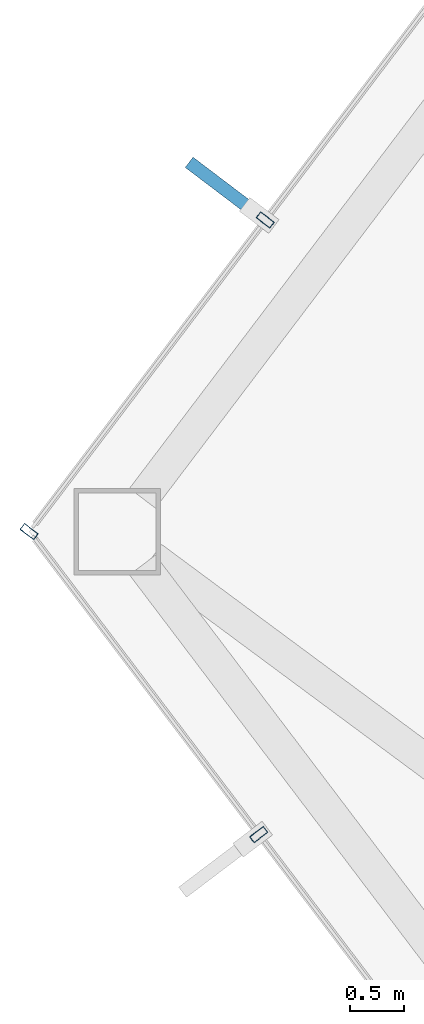
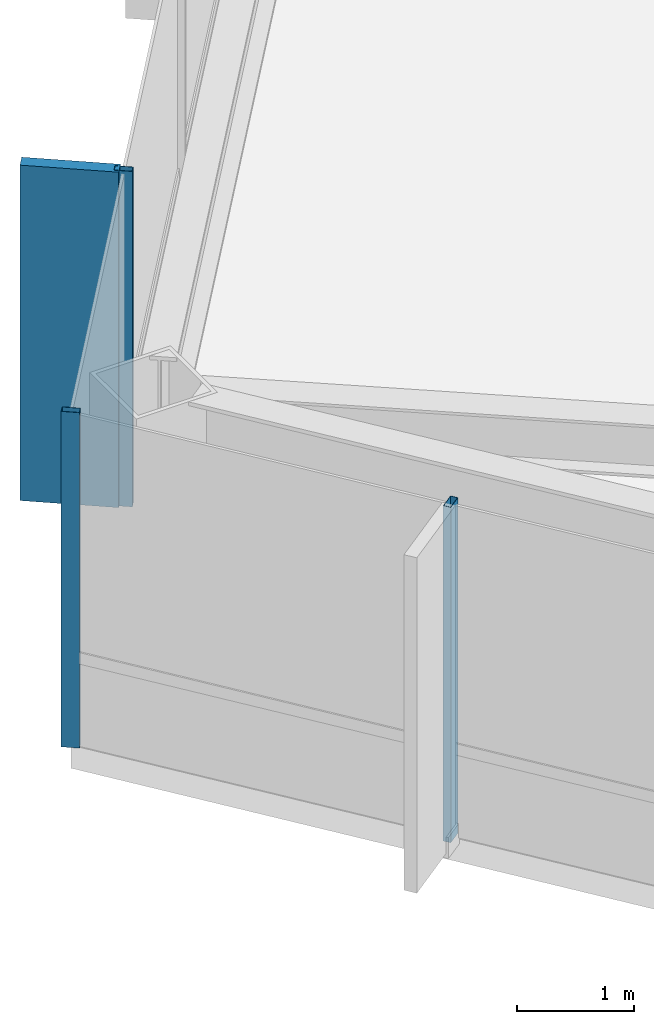
# One storey, part 10 of 28: 4 members, 2 elements without a shape of their own.
"""IFC4 building model written with IfcOpenShell, lengths in metres."""

from ifc_helpers import new_model, si_unit, direction, frame, origin, origin_2d, place, context, subcontext, project, spatial, rectangle, hollow_rectangle, extrude, material, layer, layer_set, material_profile, profile_set, type_object, element, aggregate, save


model = new_model("IFC4")

# Units and contexts
model_context = context("Model", 3, precision=1e-05, world=origin(), true_north=direction((0.0, 1.0)))
body_context = subcontext(model_context, "Body", "Model", "MODEL_VIEW")
ifc_project = project(units=[si_unit("LENGTHUNIT", "METRE"), si_unit("AREAUNIT", "SQUARE_METRE"), si_unit("VOLUMEUNIT", "CUBIC_METRE"), si_unit("PLANEANGLEUNIT", "RADIAN"), si_unit("MASSUNIT", "GRAM", prefix="KILO")], contexts=[model_context])

# Site, building, storey
site_placement = place(None, origin())
site = spatial("IfcSite", under=ifc_project, at=site_placement, CompositionType="ELEMENT")
building_placement = place(site_placement, origin())
building = spatial("IfcBuilding", under=site, at=building_placement, Name="Zarrinselat Tower", CompositionType="ELEMENT")
storey_placement = place(building_placement, frame((0.0, 0.0, 145.860107421875)))
storey = spatial("IfcBuildingStorey", under=building, at=storey_placement, Name="L35", CompositionType="ELEMENT", Elevation=145.860107421875)

# Curtain wall, members
ifc_material_1 = material(Name="Extruded Aluminium Alloy EN AW-6063 T6", Category="aluminium")
ifc_layer = layer(ifc_material_1, 0.175048828125)
ifc_layer_set = layer_set([ifc_layer], Name="Extruded Aluminium Alloy EN AW-6063 T6")
curtain_wall_type = type_object("IfcCurtainWallType", Name="CWS-HTL", PredefinedType="NOTDEFINED", material=ifc_layer_set)
curtain_wall_1_placement = place(storey_placement, origin())
curtain_wall_1 = element("IfcCurtainWall", 1, at=curtain_wall_1_placement, inside=storey, type_object=curtain_wall_type, Name="L35 Unitised Curtain Wall CW-L35-E02", PredefinedType="NOTDEFINED")
ifc_material_2 = material(Name="Extruded Aluminium Alloy EN AW-6063 T6", Category="aluminium")
ifc_material_profile_1 = material_profile(ifc_material_2, hollow_rectangle(XDim=0.070068359375, YDim=0.159912109375, WallThickness=0.00390625, at=origin_2d()), Name="RHS 160x70x4")
ifc_profile_set_1 = profile_set([ifc_material_profile_1], Name="Extruded Aluminium Alloy EN AW-6063 T6")
member_type_1 = type_object("IfcMemberType", Name="MEM-CW-MUL2", PredefinedType="MULLION", material=ifc_profile_set_1)
member_1_placement = place(storey_placement, frame((17.519287109375, 40.370849609375, 0.0), z_axis=(0.0, 0.0, 1.0), x_axis=(-0.603857687995, -0.797092148154, 0.0)))
member_1 = element("IfcMember", 2, at=member_1_placement, type_object=member_type_1, Name="CW-L35-E02 Mullion 3", PredefinedType="MULLION", context=body_context, shape_type="SweptSolid", body=[
    extrude(hollow_rectangle(XDim=0.070068359375, YDim=0.159912109375, WallThickness=0.00390625, at=origin_2d()), origin(), (0.0, 0.0, 1.0), 3.5),
])
member_2_placement = place(storey_placement, frame((15.331787109375, 37.4833984375, 0.0), z_axis=(0.0, 0.0, 1.0), x_axis=(-0.603857687995, -0.797092148154, 0.0)))
member_2 = element("IfcMember", 3, at=member_2_placement, type_object=member_type_1, Name="CW-L35-E02 Mullion 4", PredefinedType="MULLION", context=body_context, shape_type="SweptSolid", body=[
    extrude(hollow_rectangle(XDim=0.070068359375, YDim=0.159912109375, WallThickness=0.00390625, at=origin_2d()), origin(), (0.0, 0.0, 1.0), 3.5),
])

# Curtain wall, member
curtain_wall_2_placement = place(storey_placement, origin())
curtain_wall_2 = element("IfcCurtainWall", 4, at=curtain_wall_2_placement, inside=storey, type_object=curtain_wall_type, Name="L35 Unitised Curtain Wall CW-L35-E03", PredefinedType="NOTDEFINED")
member_3_placement = place(storey_placement, frame((17.45849609375, 34.67578125, 0.0), z_axis=(0.0, 0.0, 1.0), x_axis=(0.603856985167, -0.7970926806, 0.0)))
member_3 = element("IfcMember", 5, at=member_3_placement, type_object=member_type_1, Name="CW-L35-E03 Mullion 1", PredefinedType="MULLION", context=body_context, shape_type="SweptSolid", body=[
    extrude(hollow_rectangle(XDim=0.070068359375, YDim=0.159912109375, WallThickness=0.00390625, at=origin_2d()), origin(), (0.0, 0.0, 1.0), 3.5),
])
aggregate(curtain_wall_2, [member_3])

# Member
ifc_material_3 = material(Name="Honed Cream Travertine Stone", Category="masonry")
ifc_material_profile_2 = material_profile(ifc_material_3, rectangle(XDim=0.1201171875, YDim=0.85009765625, at=origin_2d()), Name="FIN 850x120")
ifc_profile_set_2 = profile_set([ifc_material_profile_2], Name="Honed Cream Travertine Stone")
member_type_2 = type_object("IfcMemberType", Name="MEM-STONE-FIN", PredefinedType="USERDEFINED", material=ifc_profile_set_2)
member_4_placement = place(storey_placement, frame((17.152587890625, 40.648681640625, 0.0), z_axis=(0.0, 0.0, 1.0), x_axis=(0.603857687995, 0.797092148154, 0.0)))
member_4 = element("IfcMember", 6, at=member_4_placement, type_object=member_type_2, Name="L35 Stone Shading Fin CW-L35-E02-03", ObjectType="FIN", PredefinedType="USERDEFINED", context=body_context, shape_type="SweptSolid", body=[
    extrude(rectangle(XDim=0.1201171875, YDim=0.85009765625, at=origin_2d()), origin(), (0.0, 0.0, 1.0), 3.5),
])

aggregate(curtain_wall_1, [member_1, member_4, member_2])

save(model, "model.ifc")
